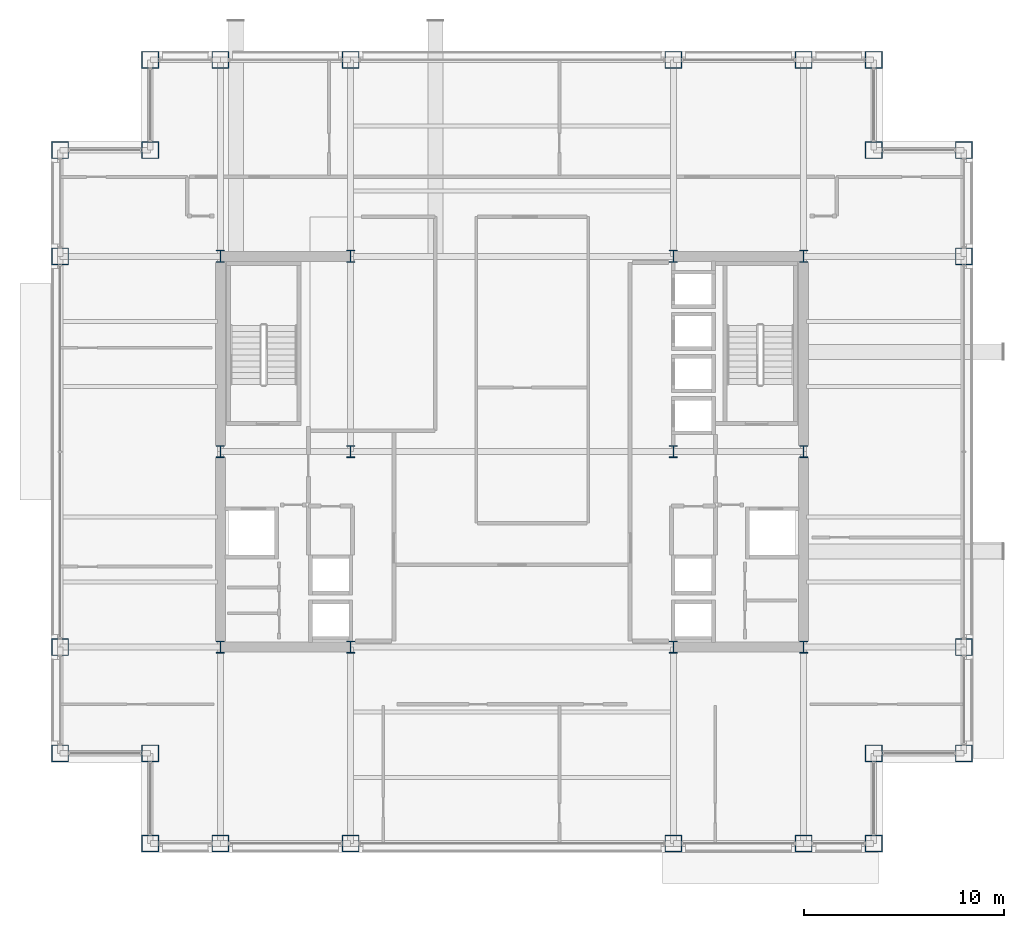
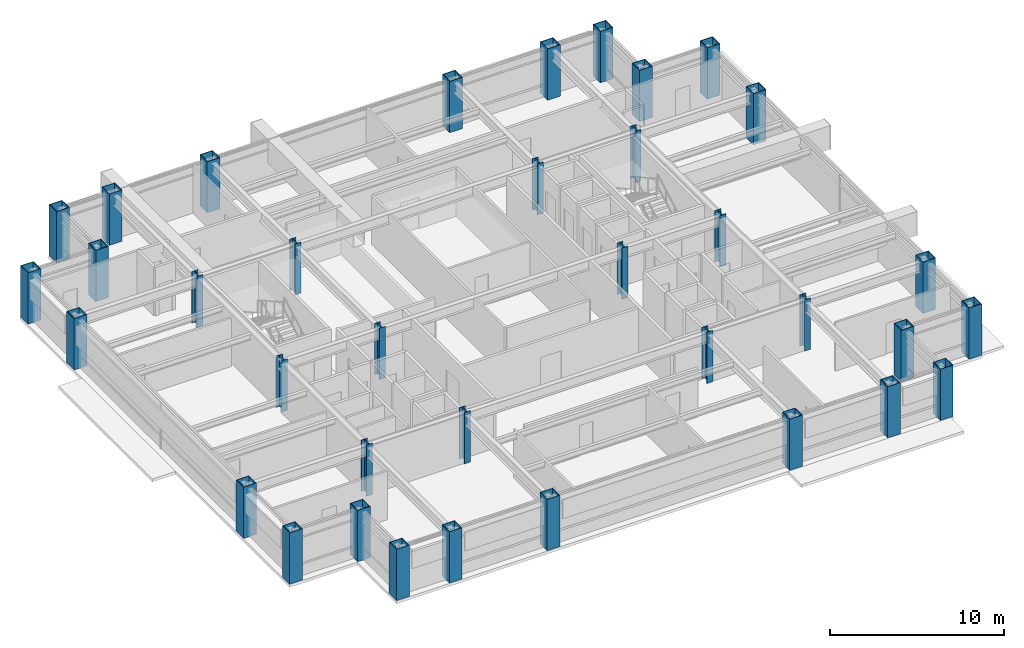
# One storey, part 1 of 34: 36 columns.
"""IFC4 building model written with IfcOpenShell, lengths in metres."""

from ifc_helpers import new_model, si_unit, direction, frame, origin, origin_2d, place, context, subcontext, project, spatial, hollow_rectangle, i_section, extrude, material, material_profile, profile_set, type_object, element, save


model = new_model("IFC4")

# Units and contexts
model_context = context("Model", 3, precision=1e-05, world=origin(), true_north=direction((0.0, 1.0)))
body_context = subcontext(model_context, "Body", "Model", "MODEL_VIEW")
ifc_project = project(units=[si_unit("LENGTHUNIT", "METRE"), si_unit("AREAUNIT", "SQUARE_METRE"), si_unit("VOLUMEUNIT", "CUBIC_METRE"), si_unit("PLANEANGLEUNIT", "RADIAN"), si_unit("MASSUNIT", "GRAM", prefix="KILO")], contexts=[model_context])

# Site, building, storey
site_placement = place(None, origin())
site = spatial("IfcSite", under=ifc_project, at=site_placement, CompositionType="ELEMENT")
building_placement = place(site_placement, origin())
building = spatial("IfcBuilding", under=site, at=building_placement, Name="Brelmoor Portico Tower", CompositionType="ELEMENT")
storey_placement = place(building_placement, frame((0.0, 0.0, 117.0)))
storey = spatial("IfcBuildingStorey", under=building, at=storey_placement, Name="L30", CompositionType="ELEMENT", Elevation=117.0)

# Columns
ifc_material = material(Name="Steel Q355B", Category="steel")
ifc_material_profile_1 = material_profile(ifc_material, hollow_rectangle(XDim=0.85009765625, YDim=0.85009765625, WallThickness=0.0400390625, at=origin_2d()), Name="BOX 850x850x40")
ifc_profile_set_1 = profile_set([ifc_material_profile_1], Name="Steel Q355B")
column_type_1 = type_object("IfcColumnType", Name="COL-MEGA-850", PredefinedType="COLUMN", material=ifc_profile_set_1)
for number, where, z_axis, x_axis, name in (
    (1, (-18.050048828125, -19.550048828125, 0.0), (0.0, 0.0, 1.0), (1.0, 0.0, 0.0), "L30 Perimeter Mega-Column PS01"),
    (2, (-14.550048828125, -19.550048828125, 0.0), (0.0, 0.0, 1.0), (1.0, 0.0, 0.0), "L30 Perimeter Mega-Column PS02"),
    (3, (-8.050048828125, -19.550048828125, 0.0), (0.0, 0.0, 1.0), (1.0, 0.0, 0.0), "L30 Perimeter Mega-Column PS03"),
    (4, (8.050048828125, -19.550048828125, 0.0), (0.0, 0.0, 1.0), (1.0, 0.0, 0.0), "L30 Perimeter Mega-Column PS04"),
    (5, (14.550048828125, -19.550048828125, 0.0), (0.0, 0.0, 1.0), (1.0, 0.0, 0.0), "L30 Perimeter Mega-Column PS05"),
    (6, (18.050048828125, -19.550048828125, 0.0), (0.0, 0.0, 1.0), (1.0, 0.0, 0.0), "L30 Perimeter Mega-Column PS06"),
    (7, (-18.050048828125, 19.550048828125, 0.0), (0.0, 0.0, 1.0), (1.0, 0.0, 0.0), "L30 Perimeter Mega-Column PN01"),
    (8, (-14.550048828125, 19.550048828125, 0.0), (0.0, 0.0, 1.0), (1.0, 0.0, 0.0), "L30 Perimeter Mega-Column PN02"),
    (9, (-8.050048828125, 19.550048828125, 0.0), (0.0, 0.0, 1.0), (1.0, 0.0, 0.0), "L30 Perimeter Mega-Column PN03"),
    (10, (8.050048828125, 19.550048828125, 0.0), (0.0, 0.0, 1.0), (1.0, 0.0, 0.0), "L30 Perimeter Mega-Column PN04"),
    (11, (14.550048828125, 19.550048828125, 0.0), (0.0, 0.0, 1.0), (1.0, 0.0, 0.0), "L30 Perimeter Mega-Column PN05"),
    (12, (18.050048828125, 19.550048828125, 0.0), (0.0, 0.0, 1.0), (1.0, 0.0, 0.0), "L30 Perimeter Mega-Column PN06"),
    (13, (-22.550048828125, -15.050048828125, 0.0), (0.0, 0.0, 1.0), (0.0, 1.0, 0.0), "L30 Perimeter Mega-Column PW01"),
    (14, (-22.550048828125, -9.75, 0.0), (0.0, 0.0, 1.0), (0.0, 1.0, 0.0), "L30 Perimeter Mega-Column PW02"),
    (15, (-22.550048828125, 9.75, 0.0), (0.0, 0.0, 1.0), (0.0, 1.0, 0.0), "L30 Perimeter Mega-Column PW03"),
    (16, (-22.550048828125, 15.050048828125, 0.0), (0.0, 0.0, 1.0), (0.0, 1.0, 0.0), "L30 Perimeter Mega-Column PW04"),
    (17, (22.550048828125, -15.050048828125, 0.0), (0.0, 0.0, 1.0), (0.0, 1.0, 0.0), "L30 Perimeter Mega-Column PE01"),
    (18, (22.550048828125, -9.75, 0.0), (0.0, 0.0, 1.0), (0.0, 1.0, 0.0), "L30 Perimeter Mega-Column PE02"),
    (19, (22.550048828125, 9.75, 0.0), (0.0, 0.0, 1.0), (0.0, 1.0, 0.0), "L30 Perimeter Mega-Column PE03"),
    (20, (22.550048828125, 15.050048828125, 0.0), (0.0, 0.0, 1.0), (0.0, 1.0, 0.0), "L30 Perimeter Mega-Column PE04"),
    (21, (-18.050048828125, 15.050048828125, 0.0), (0.0, 0.0, 1.0), (1.0, 0.0, 0.0), "L30 Perimeter Mega-Column PC-NW"),
    (22, (18.050048828125, 15.050048828125, 0.0), (0.0, 0.0, 1.0), (1.0, 0.0, 0.0), "L30 Perimeter Mega-Column PC-NE"),
    (23, (18.050048828125, -15.050048828125, 0.0), (0.0, 0.0, 1.0), (1.0, 0.0, 0.0), "L30 Perimeter Mega-Column PC-SE"),
    (24, (-18.050048828125, -15.050048828125, 0.0), (0.0, 0.0, 1.0), (1.0, 0.0, 0.0), "L30 Perimeter Mega-Column PC-SW"),
):
    element("IfcColumn", number, at=place(storey_placement, frame(where, z_axis=z_axis, x_axis=x_axis)), inside=storey, type_object=column_type_1, Name=name, PredefinedType="COLUMN", context=body_context, shape_type="SweptSolid", body=[
        extrude(hollow_rectangle(XDim=0.85009765625, YDim=0.85009765625, WallThickness=0.0400390625, at=origin_2d()), origin(), (0.0, 0.0, 1.0), 3.60009765625),
    ])
ifc_material_profile_2 = material_profile(ifc_material, i_section(OverallWidth=0.39990234375, OverallDepth=0.60009765625, WebThickness=0.02197265625, FlangeThickness=0.035888671875, at=origin_2d()), Name="HW 600x400x22x36")
ifc_profile_set_2 = profile_set([ifc_material_profile_2], Name="Steel Q355B")
column_type_2 = type_object("IfcColumnType", Name="COL-SPINE-600", PredefinedType="COLUMN", material=ifc_profile_set_2)
for number, where, z_axis, x_axis, name in (
    (25, (-14.550048828125, -9.75, 0.0), (0.0, 0.0, 1.0), (1.0, 0.0, 0.0), "L30 Core Spine Column CW-SW"),
    (26, (-14.550048828125, 0.0, 0.0), (0.0, 0.0, 1.0), (1.0, 0.0, 0.0), "L30 Core Spine Column CW-MW"),
    (27, (-14.550048828125, 9.75, 0.0), (0.0, 0.0, 1.0), (1.0, 0.0, 0.0), "L30 Core Spine Column CW-NW"),
    (28, (-8.050048828125, -9.75, 0.0), (0.0, 0.0, 1.0), (1.0, 0.0, 0.0), "L30 Core Spine Column CW-SE"),
    (29, (-8.050048828125, 0.0, 0.0), (0.0, 0.0, 1.0), (1.0, 0.0, 0.0), "L30 Core Spine Column CW-ME"),
    (30, (-8.050048828125, 9.75, 0.0), (0.0, 0.0, 1.0), (1.0, 0.0, 0.0), "L30 Core Spine Column CW-NE"),
    (31, (8.050048828125, -9.75, 0.0), (0.0, 0.0, 1.0), (1.0, 0.0, 0.0), "L30 Core Spine Column CE-SW"),
    (32, (8.050048828125, 0.0, 0.0), (0.0, 0.0, 1.0), (1.0, 0.0, 0.0), "L30 Core Spine Column CE-MW"),
    (33, (8.050048828125, 9.75, 0.0), (0.0, 0.0, 1.0), (1.0, 0.0, 0.0), "L30 Core Spine Column CE-NW"),
    (34, (14.550048828125, -9.75, 0.0), (0.0, 0.0, 1.0), (1.0, 0.0, 0.0), "L30 Core Spine Column CE-SE"),
    (35, (14.550048828125, 0.0, 0.0), (0.0, 0.0, 1.0), (1.0, 0.0, 0.0), "L30 Core Spine Column CE-ME"),
    (36, (14.550048828125, 9.75, 0.0), (0.0, 0.0, 1.0), (1.0, 0.0, 0.0), "L30 Core Spine Column CE-NE"),
):
    element("IfcColumn", number, at=place(storey_placement, frame(where, z_axis=z_axis, x_axis=x_axis)), inside=storey, type_object=column_type_2, Name=name, PredefinedType="COLUMN", context=body_context, shape_type="SweptSolid", body=[
        extrude(i_section(OverallWidth=0.39990234375, OverallDepth=0.60009765625, WebThickness=0.02197265625, FlangeThickness=0.035888671875, at=origin_2d()), origin(), (0.0, 0.0, 1.0), 3.60009765625),
    ])

save(model, "model.ifc")
